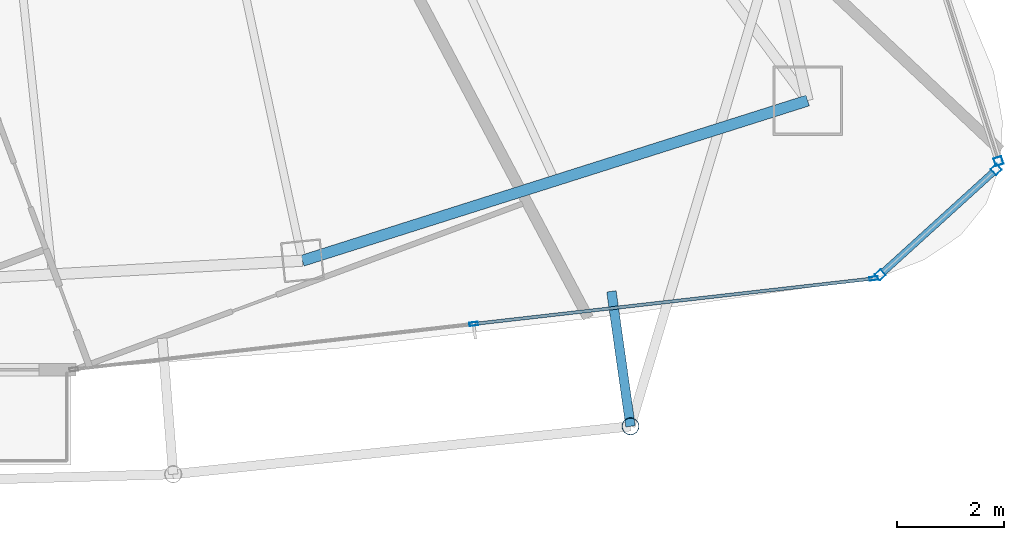
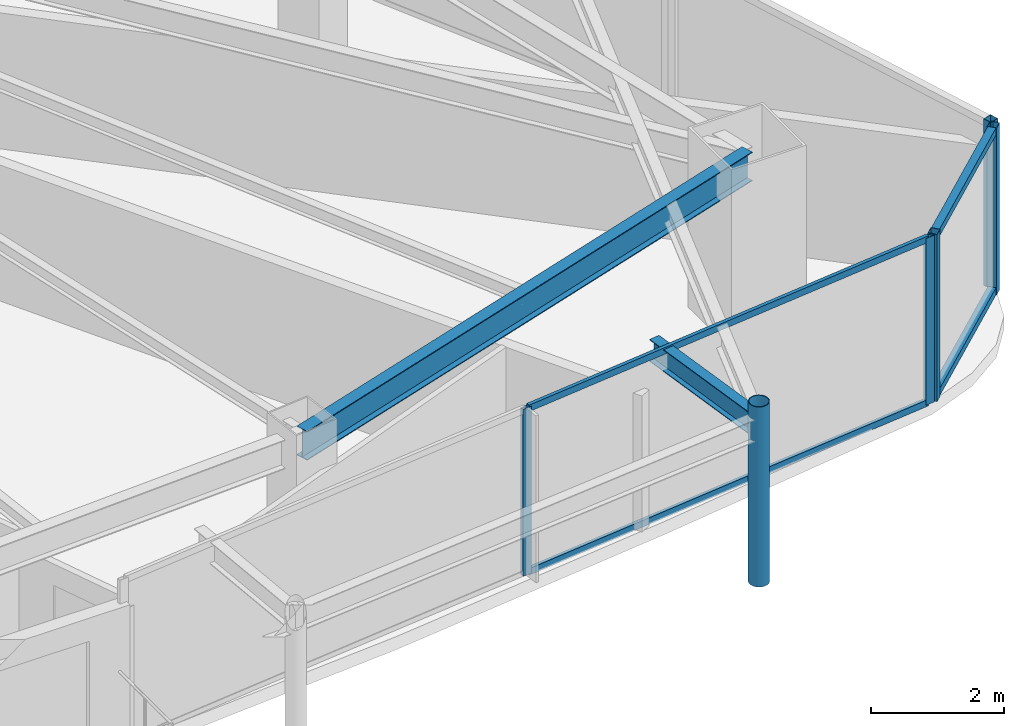
# One storey, part 14 of 29: 10 members, 2 beams, 3 elements without a shape of their own.
"""IFC4 building model written with IfcOpenShell, lengths in metres."""

from ifc_helpers import new_model, si_unit, direction, frame, origin, origin_2d, place, context, subcontext, project, spatial, hollow_rectangle, hollow_circle, i_section, extrude, material, layer, layer_set, material_profile, profile_set, type_object, element, aggregate, save


model = new_model("IFC4")

# Units and contexts
model_context = context("Model", 3, precision=1e-05, world=origin(), true_north=direction((0.0, 1.0)))
body_context = subcontext(model_context, "Body", "Model", "MODEL_VIEW")
ifc_project = project(units=[si_unit("LENGTHUNIT", "METRE"), si_unit("AREAUNIT", "SQUARE_METRE"), si_unit("VOLUMEUNIT", "CUBIC_METRE"), si_unit("PLANEANGLEUNIT", "RADIAN"), si_unit("MASSUNIT", "GRAM", prefix="KILO")], contexts=[model_context])

# Site, building, storey
site_placement = place(None, origin())
site = spatial("IfcSite", under=ifc_project, at=site_placement, CompositionType="ELEMENT")
building_placement = place(site_placement, origin())
building = spatial("IfcBuilding", under=site, at=building_placement, Name="Orvanel Arch Residences", CompositionType="ELEMENT")
storey_placement = place(building_placement, frame((0.0, 0.0, 243.64990234375)))
storey = spatial("IfcBuildingStorey", under=building, at=storey_placement, Name="L69", CompositionType="ELEMENT", Elevation=243.64990234375)

# Curtain wall, members
ifc_material_1 = material(Name="Bronze-anodised aluminium AA6063-T6", Category="aluminium")
ifc_layer_1 = layer(ifc_material_1, 0.18994140625)
ifc_layer_set_1 = layer_set([ifc_layer_1], Name="Bronze-anodised aluminium AA6063-T6")
curtain_wall_type_1 = type_object("IfcCurtainWallType", Name="CW5-CRN-SYS", PredefinedType="NOTDEFINED", material=ifc_layer_set_1)
curtain_wall_1_placement = place(storey_placement, origin())
curtain_wall_1 = element("IfcCurtainWall", 1, at=curtain_wall_1_placement, inside=storey, type_object=curtain_wall_type_1, Name="L69 CW5-CRN-SYS Unitised Curtain Wall", PredefinedType="NOTDEFINED")
ifc_material_profile_1 = material_profile(ifc_material_1, hollow_rectangle(XDim=0.14990234375, YDim=0.14990234375, WallThickness=0.0048828125, at=origin_2d()), Name="ALU150x150x5")
ifc_profile_set_1 = profile_set([ifc_material_profile_1], Name="Bronze-anodised aluminium AA6063-T6")
member_type_1 = type_object("IfcMemberType", Name="MUL-150x150", PredefinedType="MULLION", material=ifc_profile_set_1)
member_1_placement = place(storey_placement, frame((53.159423828125, 7.092529296875, 0.0), z_axis=(0.0, 0.0, 1.0), x_axis=(-0.672382005775, 0.740204322001, 0.0)))
member_1 = element("IfcMember", 2, at=member_1_placement, type_object=member_type_1, Name="CW-S5 mullion 1", PredefinedType="MULLION", context=body_context, shape_type="SweptSolid", body=[
    extrude(hollow_rectangle(XDim=0.14990234375, YDim=0.14990234375, WallThickness=0.0048828125, at=origin_2d()), origin(), (0.0, 0.0, 1.0), 3.06005859375),
])
member_2_placement = place(storey_placement, frame((55.32958984375, 9.0634765625, 0.0), z_axis=(0.0, 0.0, 1.0), x_axis=(-0.672382005775, 0.740204322001, 0.0)))
member_2 = element("IfcMember", 3, at=member_2_placement, type_object=member_type_1, Name="CW-S5 mullion 2", PredefinedType="MULLION", context=body_context, shape_type="SweptSolid", body=[
    extrude(hollow_rectangle(XDim=0.14990234375, YDim=0.14990234375, WallThickness=0.0048828125, at=origin_2d()), origin(), (0.0, 0.0, 1.0), 3.06005859375),
])

# Curtain wall, member
curtain_wall_2_placement = place(storey_placement, origin())
curtain_wall_2 = element("IfcCurtainWall", 4, at=curtain_wall_2_placement, inside=storey, type_object=curtain_wall_type_1, Name="L69 CW5-CRN-SYS Unitised Curtain Wall", PredefinedType="NOTDEFINED")
member_3_placement = place(storey_placement, frame((55.371337890625, 9.217529296875, 0.0), z_axis=(0.0, 0.0, 1.0), x_axis=(-0.952801726678, -0.303593263494, 0.0)))
member_3 = element("IfcMember", 5, at=member_3_placement, type_object=member_type_1, Name="CW-S5 mullion 1", PredefinedType="MULLION", context=body_context, shape_type="SweptSolid", body=[
    extrude(hollow_rectangle(XDim=0.14990234375, YDim=0.14990234375, WallThickness=0.0048828125, at=origin_2d()), origin(), (0.0, 0.0, 1.0), 3.06005859375),
])
aggregate(curtain_wall_2, [member_3])

# Curtain wall, members
ifc_layer_2 = layer(ifc_material_1, 0.175048828125)
ifc_layer_set_2 = layer_set([ifc_layer_2], Name="Bronze-anodised aluminium AA6063-T6")
curtain_wall_type_2 = type_object("IfcCurtainWallType", Name="CW4-HI-SYS", PredefinedType="NOTDEFINED", material=ifc_layer_set_2)
curtain_wall_3_placement = place(storey_placement, origin())
curtain_wall_3 = element("IfcCurtainWall", 6, at=curtain_wall_3_placement, inside=storey, type_object=curtain_wall_type_2, Name="L69 CW4-HI-SYS Unitised Curtain Wall", PredefinedType="NOTDEFINED")
ifc_material_profile_2 = material_profile(ifc_material_1, hollow_rectangle(XDim=0.06494140625, YDim=0.159912109375, WallThickness=0.00390625, at=origin_2d()), Name="ALU160x65x4")
ifc_profile_set_2 = profile_set([ifc_material_profile_2], Name="Bronze-anodised aluminium AA6063-T6")
member_type_2 = type_object("IfcMemberType", Name="MUL-160x65", PredefinedType="MULLION", material=ifc_profile_set_2)
member_4_placement = place(storey_placement, frame((45.555419921875, 6.172607421875, 0.0), z_axis=(0.0, 0.0, 1.0), x_axis=(-0.113000186209, 0.993594966733, 0.0)))
member_4 = element("IfcMember", 7, at=member_4_placement, type_object=member_type_2, Name="CW-S4 mullion 2", PredefinedType="MULLION", context=body_context, shape_type="SweptSolid", body=[
    extrude(hollow_rectangle(XDim=0.06494140625, YDim=0.159912109375, WallThickness=0.00390625, at=origin_2d()), origin(), (0.0, 0.0, 1.0), 3.06005859375),
])
member_5_placement = place(storey_placement, frame((53.03662109375, 7.0234375, 0.0), z_axis=(0.0, 0.0, 1.0), x_axis=(-0.113000186209, 0.993594966733, 0.0)))
member_5 = element("IfcMember", 8, at=member_5_placement, type_object=member_type_2, Name="CW-S4 mullion 3", PredefinedType="MULLION", context=body_context, shape_type="SweptSolid", body=[
    extrude(hollow_rectangle(XDim=0.06494140625, YDim=0.159912109375, WallThickness=0.00390625, at=origin_2d()), origin(), (0.0, 0.0, 1.0), 3.06005859375),
])

# Beams
ifc_material_2 = material(Name="Structural steel AS/NZS 3679.1 Grade 300 (300 MPa)", Category="steel")
ifc_material_profile_3 = material_profile(ifc_material_2, i_section(OverallWidth=0.177978515625, OverallDepth=0.406005859375, WebThickness=0.0078125, FlangeThickness=0.0126953125, at=origin_2d()), Name="410UB59.7")
ifc_profile_set_3 = profile_set([ifc_material_profile_3], Name="Structural steel AS/NZS 3679.1 Grade 300 (300 MPa)")
beam_type_1 = type_object("IfcBeamType", Name="OB-410UB-EXT", PredefinedType="SPANDREL", material=ifc_profile_set_3)
beam_1_placement = place(storey_placement, frame((48.131103515625, 6.782958984375, 2.857177734375), z_axis=(0.139973598462, -0.990155236179, 0.0), x_axis=(0.990155236179, 0.139973598462, 0.0)))
element("IfcBeam", 9, at=beam_1_placement, inside=storey, type_object=beam_type_1, Name="L69 Outer Frame Radial Tie Beam 08", PredefinedType="SPANDREL", context=body_context, shape_type="SweptSolid", body=[
    extrude(i_section(OverallWidth=0.177978515625, OverallDepth=0.406005859375, WebThickness=0.0078125, FlangeThickness=0.0126953125, at=origin_2d()), origin(), (0.0, 0.0, 1.0), 2.550048828125),
])
ifc_material_profile_4 = material_profile(ifc_material_2, i_section(OverallWidth=0.208984375, OverallDepth=0.532958984375, WebThickness=0.01025390625, FlangeThickness=0.015625, at=origin_2d()), Name="530UB92.4")
ifc_profile_set_4 = profile_set([ifc_material_profile_4], Name="Structural steel AS/NZS 3679.1 Grade 300 (300 MPa)")
beam_type_2 = type_object("IfcBeamType", Name="SP-530UB", PredefinedType="SPANDREL", material=ifc_profile_set_4)
beam_2_placement = place(storey_placement, frame((42.35107421875, 7.35498046875, 2.794189453125), z_axis=(0.953237386592, 0.302222574941, 0.0), x_axis=(-0.302222574941, 0.953237386592, 0.0)))
element("IfcBeam", 10, at=beam_2_placement, inside=storey, type_object=beam_type_2, Name="L69 Perimeter Spandrel Beam 05", PredefinedType="SPANDREL", context=body_context, shape_type="SweptSolid", body=[
    extrude(i_section(OverallWidth=0.208984375, OverallDepth=0.532958984375, WebThickness=0.01025390625, FlangeThickness=0.015625, at=origin_2d()), origin(), (0.0, 0.0, 1.0), 9.91357421875),
])

# Member
ifc_material_3 = material(Name="Structural steel AS/NZS 1163 C350L0 (Grade 350)", Category="steel")
ifc_material_profile_5 = material_profile(ifc_material_3, hollow_circle(Radius=0.162109375, WallThickness=0.0126953125, at=origin_2d()), Name="CHS324x12.7")
ifc_profile_set_5 = profile_set([ifc_material_profile_5], Name="Structural steel AS/NZS 1163 C350L0 (Grade 350)")
member_type_3 = type_object("IfcMemberType", Name="ST-324CHS-EXT", PredefinedType="STRUT", material=ifc_profile_set_5)
member_6_placement = place(storey_placement, frame((48.488037109375, 4.258056640625, 0.0), z_axis=(0.0, 0.0, 1.0), x_axis=(1.0, 0.0, 0.0)))
element("IfcMember", 11, at=member_6_placement, inside=storey, type_object=member_type_3, Name="L69 Outer Perimeter Frame Post 08", PredefinedType="STRUT", context=body_context, shape_type="SweptSolid", body=[
    extrude(hollow_circle(Radius=0.162109375, WallThickness=0.0126953125, at=origin_2d()), origin(), (0.0, 0.0, 1.0), 3.300048828125),
])

ifc_material_profile_6 = material_profile(ifc_material_1, hollow_rectangle(XDim=0.06005859375, YDim=0.1201171875, WallThickness=0.00341796875, at=origin_2d()), Name="ALU120x60x3.5")
ifc_profile_set_6 = profile_set([ifc_material_profile_6], Name="Bronze-anodised aluminium AA6063-T6")
member_type_4 = type_object("IfcMemberType", Name="TRN-120x60", PredefinedType="USERDEFINED", material=ifc_profile_set_6)
member_7_placement = place(storey_placement, frame((45.587890625, 6.17626953125, 0.030029296875), z_axis=(0.993594408801, 0.113005091922, 0.0), x_axis=(-0.113005091922, 0.993594408801, 0.0)))
member_7 = element("IfcMember", 12, at=member_7_placement, type_object=member_type_4, Name="CW-S4 transom 2.1", ObjectType="TRANSOM", PredefinedType="USERDEFINED", context=body_context, shape_type="SweptSolid", body=[
    extrude(hollow_rectangle(XDim=0.06005859375, YDim=0.1201171875, WallThickness=0.00341796875, at=origin_2d()), origin(), (0.0, 0.0, 1.0), 7.46435546875),
])

member_8_placement = place(storey_placement, frame((45.587890625, 6.17626953125, 3.030029296875), z_axis=(0.993594408801, 0.113005091922, 0.0), x_axis=(-0.113005091922, 0.993594408801, 0.0)))
member_8 = element("IfcMember", 13, at=member_8_placement, type_object=member_type_4, Name="CW-S4 transom 2.2", ObjectType="TRANSOM", PredefinedType="USERDEFINED", context=body_context, shape_type="SweptSolid", body=[
    extrude(hollow_rectangle(XDim=0.06005859375, YDim=0.1201171875, WallThickness=0.00341796875, at=origin_2d()), origin(), (0.0, 0.0, 1.0), 7.46435546875),
])

aggregate(curtain_wall_3, [member_4, member_5, member_7, member_8])

ifc_material_profile_7 = material_profile(ifc_material_1, hollow_rectangle(XDim=0.1298828125, YDim=0.1298828125, WallThickness=0.00439453125, at=origin_2d()), Name="ALU130x130x4.5")
ifc_profile_set_7 = profile_set([ifc_material_profile_7], Name="Bronze-anodised aluminium AA6063-T6")
member_type_5 = type_object("IfcMemberType", Name="TRN-130x130", PredefinedType="USERDEFINED", material=ifc_profile_set_7)
member_9_placement = place(storey_placement, frame((53.215087890625, 7.142822265625, 0.065185546875), z_axis=(0.740174349749, 0.672414999813, 0.0), x_axis=(-0.672414999813, 0.740174349749, 0.0)))
member_9 = element("IfcMember", 14, at=member_9_placement, type_object=member_type_5, Name="CW-S5 transom 1.1", ObjectType="TRANSOM", PredefinedType="USERDEFINED", context=body_context, shape_type="SweptSolid", body=[
    extrude(hollow_rectangle(XDim=0.1298828125, YDim=0.1298828125, WallThickness=0.00439453125, at=origin_2d()), origin(), (0.0, 0.0, 1.0), 2.781494140625),
])

member_10_placement = place(storey_placement, frame((53.215087890625, 7.142822265625, 2.9951171875), z_axis=(0.740174349749, 0.672414999813, 0.0), x_axis=(-0.672414999813, 0.740174349749, 0.0)))
member_10 = element("IfcMember", 15, at=member_10_placement, type_object=member_type_5, Name="CW-S5 transom 1.2", ObjectType="TRANSOM", PredefinedType="USERDEFINED", context=body_context, shape_type="SweptSolid", body=[
    extrude(hollow_rectangle(XDim=0.1298828125, YDim=0.1298828125, WallThickness=0.00439453125, at=origin_2d()), origin(), (0.0, 0.0, 1.0), 2.781494140625),
])

aggregate(curtain_wall_1, [member_1, member_2, member_9, member_10])

save(model, "model.ifc")
